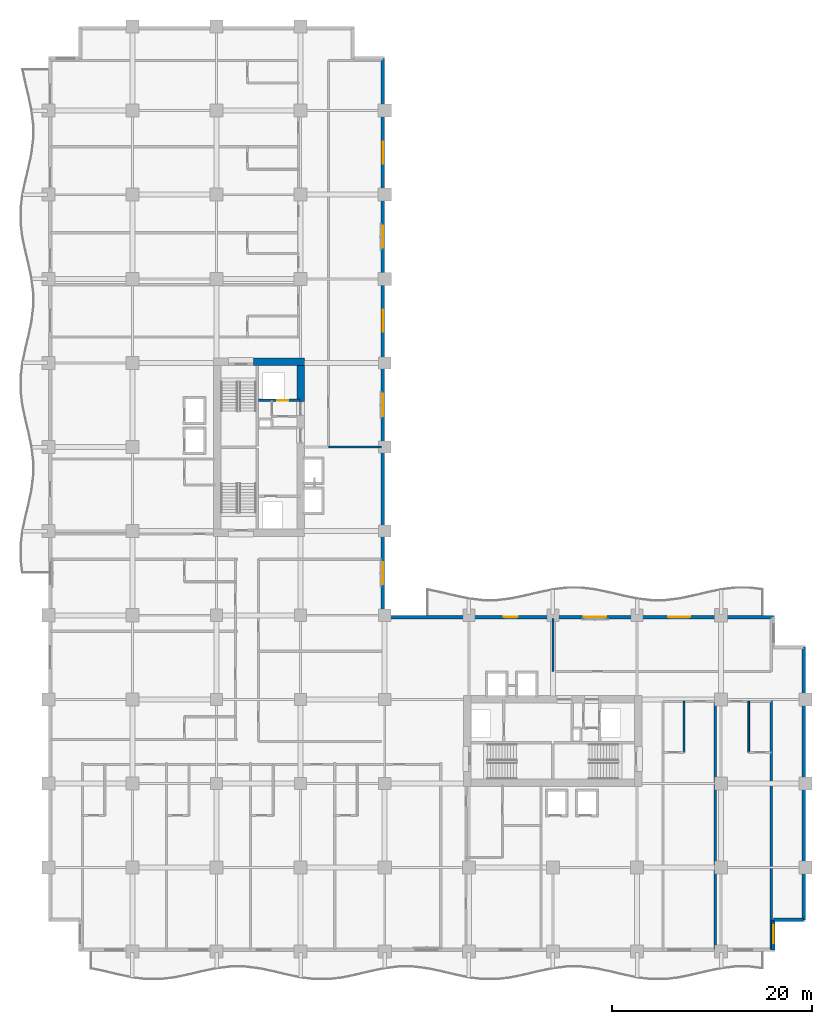
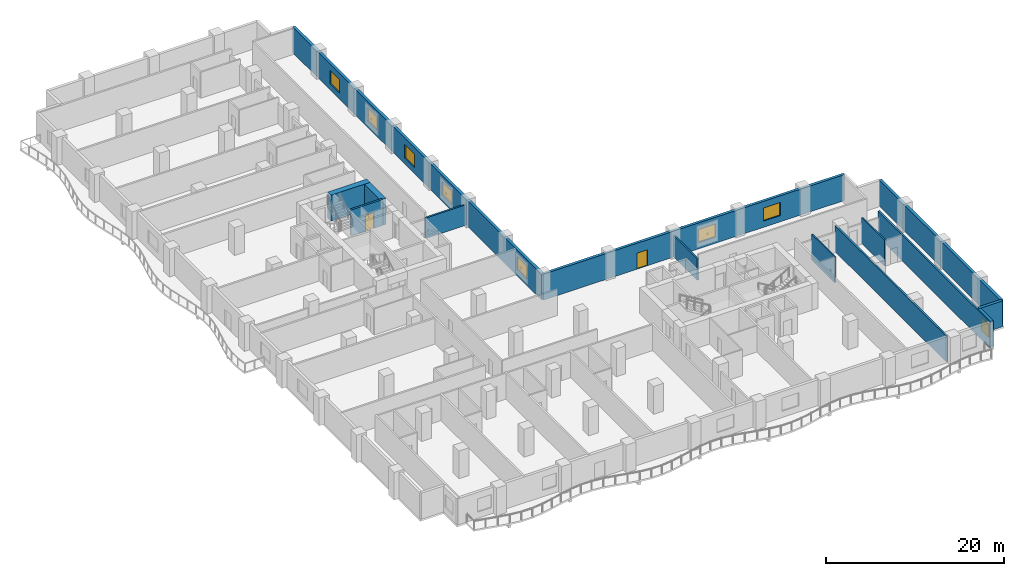
# One storey, part 9 of 18: 14 walls, 8 windows, 2 doors, 10 openings.
"""IFC4 building model written with IfcOpenShell, lengths in metres."""

from ifc_helpers import new_model, si_unit, direction, frame, frame_2d, origin, place, context, subcontext, project, spatial, rectangle, extrude, material, layer, layer_set, type_object, element, fill, save


model = new_model("IFC4")

# Units and contexts
model_context = context("Model", 3, precision=1e-05, world=origin(), true_north=direction((0.0, 1.0)))
body_context = subcontext(model_context, "Body", "Model", "MODEL_VIEW")
ifc_project = project(units=[si_unit("LENGTHUNIT", "METRE"), si_unit("AREAUNIT", "SQUARE_METRE"), si_unit("VOLUMEUNIT", "CUBIC_METRE"), si_unit("PLANEANGLEUNIT", "RADIAN"), si_unit("MASSUNIT", "GRAM", prefix="KILO")], contexts=[model_context])

# Site, building, storey
site_placement = place(None, origin())
site = spatial("IfcSite", under=ifc_project, at=site_placement, CompositionType="ELEMENT")
building_placement = place(site_placement, origin())
building = spatial("IfcBuilding", under=site, at=building_placement, Name="Koriwani Terraces Tower", CompositionType="ELEMENT")
storey_placement = place(building_placement, frame((0.0, 0.0, 107.60009765625)))
storey = spatial("IfcBuildingStorey", under=building, at=storey_placement, Name="L25", CompositionType="ELEMENT", Elevation=107.60009765625)

# Walls
ifc_material_1 = material(Name="Concrete C60/75", Category="concrete")
ifc_layer_1 = layer(ifc_material_1, 0.75, Name="Concrete C60/75")
ifc_layer_set_1 = layer_set([ifc_layer_1], Name="Concrete C60/75")
wall_type_1 = type_object("IfcWallType", Name="WALL_CORE_RC_750", PredefinedType="SHEAR", material=ifc_layer_set_1)
wall_1_placement = place(storey_placement, frame((20.5, 58.925048828125, 0.0), z_axis=(0.0, 0.0, 1.0), x_axis=(1.0, 0.0, 0.0)))
element("IfcWall", 1, at=wall_1_placement, inside=storey, type_object=wall_type_1, Name="L25 West Split Core Shear Wall N2", PredefinedType="SHEAR", context=body_context, shape_type="SweptSolid", body=[
    extrude(rectangle(XDim=5.074951171875, YDim=0.75, at=frame_2d((2.53759765625, 0.0))), origin(), (0.0, 0.0, 1.0), 3.5498046875),
])
wall_2_placement = place(storey_placement, frame((25.199951171875, 54.949951171875, 0.0), z_axis=(0.0, 0.0, 1.0), x_axis=(0.0, 1.0, 0.0)))
element("IfcWall", 2, at=wall_2_placement, inside=storey, type_object=wall_type_1, Name="L25 West Split Core Shear Wall E3", PredefinedType="SHEAR", context=body_context, shape_type="SweptSolid", body=[
    extrude(rectangle(XDim=3.60009765625, YDim=0.75, at=frame_2d((1.800048828125, 0.0))), origin(), (0.0, 0.0, 1.0), 3.5498046875),
])
ifc_material_2 = material(Name="Autoclaved Cellular Concrete Blockwork", Category="masonry")
ifc_layer_2 = layer(ifc_material_2, 0.219970703125, Name="Autoclaved Cellular Concrete Blockwork")
ifc_layer_set_2 = layer_set([ifc_layer_2], Name="Autoclaved Cellular Concrete Blockwork")
wall_type_2 = type_object("IfcWallType", Name="WALL_DEMISING_220", PredefinedType="PARTITIONING", material=ifc_layer_set_2)
wall_3_placement = place(storey_placement, frame((28.0, 50.39990234375, 0.0), z_axis=(0.0, 0.0, 1.0), x_axis=(1.0, 0.0, 0.0)))
element("IfcWall", 3, at=wall_3_placement, inside=storey, type_object=wall_type_2, Name="L25 Interior Wall WNEC-S-L25", PredefinedType="PARTITIONING", context=body_context, shape_type="SweptSolid", body=[
    extrude(rectangle(XDim=5.300048828125, YDim=0.219970703125, at=frame_2d((2.64990234375, 0.0))), origin(), (0.0, 0.0, 1.0), 2.7998046875),
])
for number, where, z_axis, x_axis, name in (
    (4, (66.60009765625, 0.199951171875, 0.0), (0.0, 0.0, 1.0), (0.0, 1.0, 0.0), "L25 Interior Wall WDEM-L25-SE-1"),
    (5, (72.199951171875, 0.199951171875, 0.0), (0.0, 0.0, 1.0), (0.0, 1.0, 0.0), "L25 Interior Wall WDEME-L25-SE"),
):
    element("IfcWall", number, at=place(storey_placement, frame(where, z_axis=z_axis, x_axis=x_axis)), inside=storey, type_object=wall_type_2, Name=name, PredefinedType="PARTITIONING", context=body_context, shape_type="SweptSolid", body=[
        extrude(rectangle(XDim=24.97998046875, YDim=0.219970703125, at=frame_2d((12.489990234375, 0.0))), origin(), (0.0, 0.0, 1.0), 3.5498046875),
    ])
wall_4_placement = place(storey_placement, frame((50.39990234375, 28.0, 0.0), z_axis=(0.0, 0.0, 1.0), x_axis=(0.0, 1.0, 0.0)))
element("IfcWall", 6, at=wall_4_placement, inside=storey, type_object=wall_type_2, Name="L25 Interior Wall WSEC-W-L25", PredefinedType="PARTITIONING", context=body_context, shape_type="SweptSolid", body=[
    extrude(rectangle(XDim=5.300048828125, YDim=0.219970703125, at=frame_2d((2.64990234375, 0.0))), origin(), (0.0, 0.0, 1.0), 2.932861328125),
])

# Wall, openings, windows
ifc_material_3 = material(Name="Concrete C50/60", Category="concrete")
ifc_layer_3 = layer(ifc_material_3, 0.35009765625, Name="Concrete C50/60")
ifc_layer_set_3 = layer_set([ifc_layer_3], Name="Concrete C50/60")
wall_type_3 = type_object("IfcWallType", Name="WALL_EXT_BRUTALIST_350", PredefinedType="STANDARD", material=ifc_layer_set_3)
wall_5_placement = place(storey_placement, frame((33.425048828125, 89.22509765625, 0.0), z_axis=(0.0, 0.0, 1.0), x_axis=(0.0, -1.0, 0.0)))
wall_5 = element("IfcWall", 7, at=wall_5_placement, inside=storey, type_object=wall_type_3, Name="L25 Fair-Faced Brutalist Exterior Wall (NW_IN)", PredefinedType="STANDARD", context=body_context, shape_type="SweptSolid", body=[
    extrude(rectangle(XDim=55.800048828125, YDim=0.35009765625, at=frame_2d((27.89990234375, 0.0))), origin(), (0.0, 0.0, 1.0), 3.5498046875),
])
opening_1_placement = place(wall_5_placement, frame((50.324951171875, 0.0, 0.85009765625)))
opening_1 = element("IfcOpeningElement", 8, at=opening_1_placement, cuts=wall_5, Name="Opening W-01", PredefinedType="OPENING", context=body_context, shape_type="SweptSolid", body=[
    extrude(rectangle(XDim=2.199951171875, YDim=1.800048828125, at=frame_2d((1.10009765625, 0.89990234375))), frame((0.0, 0.18505859375, 0.0), z_axis=(0.0, -1.0, 0.0), x_axis=(1.0, 0.0, 0.0)), (0.0, 0.0, 1.0), 0.3701171875),
])
opening_2_placement = place(wall_5_placement, frame((33.52490234375, 0.0, 0.85009765625)))
opening_2 = element("IfcOpeningElement", 9, at=opening_2_placement, cuts=wall_5, Name="Opening W-01", PredefinedType="OPENING", context=body_context, shape_type="SweptSolid", body=[
    extrude(rectangle(XDim=2.199951171875, YDim=1.800048828125, at=frame_2d((1.10009765625, 0.89990234375))), frame((0.0, 0.18505859375, 0.0), z_axis=(0.0, -1.0, 0.0), x_axis=(1.0, 0.0, 0.0)), (0.0, 0.0, 1.0), 0.3701171875),
])
opening_3_placement = place(wall_5_placement, frame((25.125, 0.0, 0.85009765625)))
opening_3 = element("IfcOpeningElement", 10, at=opening_3_placement, cuts=wall_5, Name="Opening W-01", PredefinedType="OPENING", context=body_context, shape_type="SweptSolid", body=[
    extrude(rectangle(XDim=2.199951171875, YDim=1.800048828125, at=frame_2d((1.10009765625, 0.89990234375))), frame((0.0, 0.18505859375, 0.0), z_axis=(0.0, -1.0, 0.0), x_axis=(1.0, 0.0, 0.0)), (0.0, 0.0, 1.0), 0.3701171875),
])
opening_4_placement = place(wall_5_placement, frame((16.72509765625, 0.0, 0.85009765625)))
opening_4 = element("IfcOpeningElement", 11, at=opening_4_placement, cuts=wall_5, Name="Opening W-01", PredefinedType="OPENING", context=body_context, shape_type="SweptSolid", body=[
    extrude(rectangle(XDim=2.199951171875, YDim=1.800048828125, at=frame_2d((1.10009765625, 0.89990234375))), frame((0.0, 0.18505859375, 0.0), z_axis=(0.0, -1.0, 0.0), x_axis=(1.0, 0.0, 0.0)), (0.0, 0.0, 1.0), 0.3701171875),
])
opening_5_placement = place(wall_5_placement, frame((8.324951171875, 0.0, 0.85009765625)))
opening_5 = element("IfcOpeningElement", 12, at=opening_5_placement, cuts=wall_5, Name="Opening W-01", PredefinedType="OPENING", context=body_context, shape_type="SweptSolid", body=[
    extrude(rectangle(XDim=2.199951171875, YDim=1.800048828125, at=frame_2d((1.10009765625, 0.89990234375))), frame((0.0, 0.18505859375, 0.0), z_axis=(0.0, -1.0, 0.0), x_axis=(1.0, 0.0, 0.0)), (0.0, 0.0, 1.0), 0.3701171875),
])
ifc_material_4 = material(Name="Tempered Laminated Low-E Glass", Category="glass")
window_type_1 = type_object("IfcWindowType", Name="WIN_HOTEL_STD_2200X1800", PartitioningType="DOUBLE_PANEL_VERTICAL", PredefinedType="WINDOW", material=ifc_material_4)
window_1_placement = place(opening_1_placement, origin())
window_1 = element("IfcWindow", 13, at=window_1_placement, inside=storey, type_object=window_type_1, Name="L25 Exterior Window (NW_IN-2)", OverallHeight=1.800048828125, OverallWidth=2.199951171875, PartitioningType="SINGLE_PANEL", PredefinedType="WINDOW", context=body_context, shape_type="SweptSolid", body=[
    extrude(rectangle(XDim=2.199951171875, YDim=1.800048828125, at=frame_2d((1.10009765625, 0.89990234375))), frame((0.0, 0.030029296875, 0.0), z_axis=(0.0, -1.0, 0.0), x_axis=(1.0, 0.0, 0.0)), (0.0, 0.0, 1.0), 0.06005859375),
])
fill(opening_1, window_1)
window_2_placement = place(opening_2_placement, origin())
window_2 = element("IfcWindow", 14, at=window_2_placement, inside=storey, type_object=window_type_1, Name="L25 Exterior Window (NW_IN-8)", OverallHeight=1.800048828125, OverallWidth=2.199951171875, PartitioningType="SINGLE_PANEL", PredefinedType="WINDOW", context=body_context, shape_type="SweptSolid", body=[
    extrude(rectangle(XDim=2.199951171875, YDim=1.800048828125, at=frame_2d((1.10009765625, 0.89990234375))), frame((0.0, 0.030029296875, 0.0), z_axis=(0.0, -1.0, 0.0), x_axis=(1.0, 0.0, 0.0)), (0.0, 0.0, 1.0), 0.06005859375),
])
fill(opening_2, window_2)
window_3_placement = place(opening_3_placement, origin())
window_3 = element("IfcWindow", 15, at=window_3_placement, inside=storey, type_object=window_type_1, Name="L25 Exterior Window (NW_IN-11)", OverallHeight=1.800048828125, OverallWidth=2.199951171875, PartitioningType="SINGLE_PANEL", PredefinedType="WINDOW", context=body_context, shape_type="SweptSolid", body=[
    extrude(rectangle(XDim=2.199951171875, YDim=1.800048828125, at=frame_2d((1.10009765625, 0.89990234375))), frame((0.0, 0.030029296875, 0.0), z_axis=(0.0, -1.0, 0.0), x_axis=(1.0, 0.0, 0.0)), (0.0, 0.0, 1.0), 0.06005859375),
])
fill(opening_3, window_3)
window_4_placement = place(opening_4_placement, origin())
window_4 = element("IfcWindow", 16, at=window_4_placement, inside=storey, type_object=window_type_1, Name="L25 Exterior Window (NW_IN-14)", OverallHeight=1.800048828125, OverallWidth=2.199951171875, PartitioningType="SINGLE_PANEL", PredefinedType="WINDOW", context=body_context, shape_type="SweptSolid", body=[
    extrude(rectangle(XDim=2.199951171875, YDim=1.800048828125, at=frame_2d((1.10009765625, 0.89990234375))), frame((0.0, 0.030029296875, 0.0), z_axis=(0.0, -1.0, 0.0), x_axis=(1.0, 0.0, 0.0)), (0.0, 0.0, 1.0), 0.06005859375),
])
fill(opening_4, window_4)
window_5_placement = place(opening_5_placement, origin())
window_5 = element("IfcWindow", 17, at=window_5_placement, inside=storey, type_object=window_type_1, Name="L25 Exterior Window (NW_IN-17)", OverallHeight=1.800048828125, OverallWidth=2.199951171875, PartitioningType="SINGLE_PANEL", PredefinedType="WINDOW", context=body_context, shape_type="SweptSolid", body=[
    extrude(rectangle(XDim=2.199951171875, YDim=1.800048828125, at=frame_2d((1.10009765625, 0.89990234375))), frame((0.0, 0.030029296875, 0.0), z_axis=(0.0, -1.0, 0.0), x_axis=(1.0, 0.0, 0.0)), (0.0, 0.0, 1.0), 0.06005859375),
])
fill(opening_5, window_5)

# Wall, openings, door, windows
wall_6_placement = place(storey_placement, frame((33.425048828125, 33.425048828125, 0.0), z_axis=(0.0, 0.0, 1.0), x_axis=(1.0, 0.0, 0.0)))
wall_6 = element("IfcWall", 18, at=wall_6_placement, inside=storey, type_object=wall_type_3, Name="L25 Fair-Faced Brutalist Exterior Wall (NE)", PredefinedType="STANDARD", context=body_context, shape_type="SweptSolid", body=[
    extrude(rectangle(XDim=39.0, YDim=0.35009765625, at=frame_2d((19.5, 0.0))), origin(), (0.0, 0.0, 1.0), 3.5498046875),
])
opening_6_placement = place(wall_6_placement, frame((12.074951171875, 0.0, 0.0)))
opening_6 = element("IfcOpeningElement", 19, at=opening_6_placement, cuts=wall_6, Name="Opening D-09", PredefinedType="OPENING", context=body_context, shape_type="SweptSolid", body=[
    extrude(rectangle(XDim=1.39990234375, YDim=2.199951171875, at=frame_2d((0.699951171875, 1.10009765625))), frame((0.0, 0.18505859375, 0.0), z_axis=(0.0, -1.0, 0.0), x_axis=(1.0, 0.0, 0.0)), (0.0, 0.0, 1.0), 0.3701171875),
])
opening_7_placement = place(wall_6_placement, frame((20.074951171875, 0.0, 0.85009765625)))
opening_7 = element("IfcOpeningElement", 20, at=opening_7_placement, cuts=wall_6, Name="Opening W-01", PredefinedType="OPENING", context=body_context, shape_type="SweptSolid", body=[
    extrude(rectangle(XDim=2.199951171875, YDim=1.800048828125, at=frame_2d((1.10009765625, 0.89990234375))), frame((0.0, 0.18505859375, 0.0), z_axis=(0.0, -1.0, 0.0), x_axis=(1.0, 0.0, 0.0)), (0.0, 0.0, 1.0), 0.3701171875),
])
opening_8_placement = place(wall_6_placement, frame((28.47509765625, 0.0, 0.85009765625)))
opening_8 = element("IfcOpeningElement", 21, at=opening_8_placement, cuts=wall_6, Name="Opening W-01", PredefinedType="OPENING", context=body_context, shape_type="SweptSolid", body=[
    extrude(rectangle(XDim=2.199951171875, YDim=1.800048828125, at=frame_2d((1.10009765625, 0.89990234375))), frame((0.0, 0.18505859375, 0.0), z_axis=(0.0, -1.0, 0.0), x_axis=(1.0, 0.0, 0.0)), (0.0, 0.0, 1.0), 0.3701171875),
])
ifc_material_5 = material(Name="Anodised Bronze Aluminium", Category="aluminium")
door_type_1 = type_object("IfcDoorType", Name="DOOR_BALCONY_GLAZED_1400X2200", OperationType="NOTDEFINED", PredefinedType="DOOR", material=ifc_material_5)
door_1_placement = place(opening_6_placement, origin())
door_1 = element("IfcDoor", 22, at=door_1_placement, inside=storey, type_object=door_type_1, Name="L25 Inner Court Balcony Glazed Door", OperationType="SINGLE_SWING_LEFT", OverallHeight=2.199951171875, OverallWidth=1.39990234375, PredefinedType="DOOR", context=body_context, shape_type="SweptSolid", body=[
    extrude(rectangle(XDim=1.39990234375, YDim=2.199951171875, at=frame_2d((0.699951171875, 1.10009765625))), frame((0.0, 0.02490234375, 0.0), z_axis=(0.0, -1.0, 0.0), x_axis=(1.0, 0.0, 0.0)), (0.0, 0.0, 1.0), 0.050048828125),
])
fill(opening_6, door_1)
window_6_placement = place(opening_7_placement, origin())
window_6 = element("IfcWindow", 23, at=window_6_placement, inside=storey, type_object=window_type_1, Name="L25 Exterior Window (NE-8)", OverallHeight=1.800048828125, OverallWidth=2.199951171875, PartitioningType="SINGLE_PANEL", PredefinedType="WINDOW", context=body_context, shape_type="SweptSolid", body=[
    extrude(rectangle(XDim=2.199951171875, YDim=1.800048828125, at=frame_2d((1.10009765625, 0.89990234375))), frame((0.0, 0.030029296875, 0.0), z_axis=(0.0, -1.0, 0.0), x_axis=(1.0, 0.0, 0.0)), (0.0, 0.0, 1.0), 0.06005859375),
])
fill(opening_7, window_6)
window_7_placement = place(opening_8_placement, origin())
window_7 = element("IfcWindow", 24, at=window_7_placement, inside=storey, type_object=window_type_1, Name="L25 Exterior Window (NE-11)", OverallHeight=1.800048828125, OverallWidth=2.199951171875, PartitioningType="SINGLE_PANEL", PredefinedType="WINDOW", context=body_context, shape_type="SweptSolid", body=[
    extrude(rectangle(XDim=2.199951171875, YDim=1.800048828125, at=frame_2d((1.10009765625, 0.89990234375))), frame((0.0, 0.030029296875, 0.0), z_axis=(0.0, -1.0, 0.0), x_axis=(1.0, 0.0, 0.0)), (0.0, 0.0, 1.0), 0.06005859375),
])
fill(opening_8, window_7)

# Walls
wall_7_placement = place(storey_placement, frame((75.425048828125, 30.425048828125, 0.0), z_axis=(0.0, 0.0, 1.0), x_axis=(0.0, -1.0, 0.0)))
element("IfcWall", 25, at=wall_7_placement, inside=storey, type_object=wall_type_3, Name="L25 Fair-Faced Brutalist Exterior Wall (E_TIP)", PredefinedType="STANDARD", context=body_context, shape_type="SweptSolid", body=[
    extrude(rectangle(XDim=27.25, YDim=0.35009765625, at=frame_2d((13.625, 0.0))), origin(), (0.0, 0.0, 1.0), 3.5498046875),
])
wall_8_placement = place(storey_placement, frame((75.425048828125, 3.175048828125, 0.0), z_axis=(0.0, 0.0, 1.0), x_axis=(-1.0, 0.0, 0.0)))
element("IfcWall", 26, at=wall_8_placement, inside=storey, type_object=wall_type_3, Name="L25 Fair-Faced Brutalist Exterior Wall (N13)", PredefinedType="STANDARD", context=body_context, shape_type="SweptSolid", body=[
    extrude(rectangle(XDim=3.0, YDim=0.35009765625, at=frame_2d((1.5, 0.0))), origin(), (0.0, 0.0, 1.0), 3.5498046875),
])

# Wall, opening, window
wall_9_placement = place(storey_placement, frame((72.425048828125, 3.175048828125, 0.0), z_axis=(0.0, 0.0, 1.0), x_axis=(0.0, -1.0, 0.0)))
wall_9 = element("IfcWall", 27, at=wall_9_placement, inside=storey, type_object=wall_type_3, Name="L25 Fair-Faced Brutalist Exterior Wall (N14)", PredefinedType="STANDARD", context=body_context, shape_type="SweptSolid", body=[
    extrude(rectangle(XDim=3.0, YDim=0.35009765625, at=frame_2d((1.5, 0.0))), origin(), (0.0, 0.0, 1.0), 3.5498046875),
])
opening_9_placement = place(wall_9_placement, frame((0.5224609375, 0.0, 0.85009765625)))
opening_9 = element("IfcOpeningElement", 28, at=opening_9_placement, cuts=wall_9, Name="Opening W-04", PredefinedType="OPENING", context=body_context, shape_type="SweptSolid", body=[
    extrude(rectangle(XDim=1.800048828125, YDim=1.800048828125, at=frame_2d((0.89990234375, 0.89990234375))), frame((0.0, 0.18505859375, 0.0), z_axis=(0.0, -1.0, 0.0), x_axis=(1.0, 0.0, 0.0)), (0.0, 0.0, 1.0), 0.3701171875),
])
window_type_2 = type_object("IfcWindowType", Name="WIN_RES_BED_1800X1800", PartitioningType="DOUBLE_PANEL_VERTICAL", PredefinedType="WINDOW", material=ifc_material_4)
window_8_placement = place(opening_9_placement, origin())
window_8 = element("IfcWindow", 29, at=window_8_placement, inside=storey, type_object=window_type_2, Name="L25 Exterior Window (N14-R57)", OverallHeight=1.800048828125, OverallWidth=1.800048828125, PartitioningType="SINGLE_PANEL", PredefinedType="WINDOW", context=body_context, shape_type="SweptSolid", body=[
    extrude(rectangle(XDim=1.800048828125, YDim=1.800048828125, at=frame_2d((0.89990234375, 0.89990234375))), frame((0.0, 0.030029296875, 0.0), z_axis=(0.0, -1.0, 0.0), x_axis=(1.0, 0.0, 0.0)), (0.0, 0.0, 1.0), 0.06005859375),
])
fill(opening_9, window_8)

# Walls
ifc_material_6 = material(Name="Fire-Rated Acoustic Gypsum Partition", Category="masonry")
ifc_layer_4 = layer(ifc_material_6, 0.179931640625, Name="Fire-Rated Acoustic Gypsum Partition")
ifc_layer_set_4 = layer_set([ifc_layer_4], Name="Fire-Rated Acoustic Gypsum Partition")
wall_type_4 = type_object("IfcWallType", Name="WALL_PLUMBING_180", PredefinedType="PLUMBINGWALL", material=ifc_layer_set_4)
for number, where, z_axis, x_axis, name in (
    (30, (63.47998046875, 19.89990234375, 0.0), (0.0, 0.0, 1.0), (0.0, 1.0, 0.0), "L25 Interior Wall WBTH2-L25-SE-0"),
    (31, (69.9599609375, 19.89990234375, 0.0), (0.0, 0.0, 1.0), (0.0, 1.0, 0.0), "L25 Interior Wall WBTH2-L25-SE-1"),
):
    element("IfcWall", number, at=place(storey_placement, frame(where, z_axis=z_axis, x_axis=x_axis)), inside=storey, type_object=wall_type_4, Name=name, PredefinedType="PLUMBINGWALL", context=body_context, shape_type="SweptSolid", body=[
        extrude(rectangle(XDim=5.10009765625, YDim=0.179931640625, at=frame_2d((2.550048828125, 0.0))), origin(), (0.0, 0.0, 1.0), 3.5498046875),
    ])

# Wall, opening, door
ifc_material_7 = material(Name="Concrete C40/50", Category="concrete")
ifc_layer_5 = layer(ifc_material_7, 0.25, Name="Concrete C40/50")
ifc_layer_set_5 = layer_set([ifc_layer_5], Name="Concrete C40/50")
wall_type_5 = type_object("IfcWallType", Name="WALL_SHAFT_RATED_250", PredefinedType="SOLIDWALL", material=ifc_layer_set_5)
wall_10_placement = place(storey_placement, frame((21.0, 55.050048828125, 0.0), z_axis=(0.0, 0.0, 1.0), x_axis=(1.0, 0.0, 0.0)))
wall_10 = element("IfcWall", 32, at=wall_10_placement, inside=storey, type_object=wall_type_5, Name="L25 Interior Wall WIN-CW-L25-SE", PredefinedType="SOLIDWALL", context=body_context, shape_type="SweptSolid", body=[
    extrude(rectangle(XDim=4.14990234375, YDim=0.25, at=frame_2d((2.074951171875, 0.0))), origin(), (0.0, 0.0, 1.0), 3.5498046875),
])
opening_10_placement = place(wall_10_placement, frame((1.85009765625, 0.0, 0.0)))
opening_10 = element("IfcOpeningElement", 33, at=opening_10_placement, cuts=wall_10, Name="Opening LD-01", PredefinedType="OPENING", context=body_context, shape_type="SweptSolid", body=[
    extrude(rectangle(XDim=1.10009765625, YDim=2.14990234375, at=frame_2d((0.550048828125, 1.074951171875))), frame((0.0, 0.135009765625, 0.0), z_axis=(0.0, -1.0, 0.0), x_axis=(1.0, 0.0, 0.0)), (0.0, 0.0, 1.0), 0.27001953125),
])
ifc_material_8 = material(Name="Steel ASTM A572 Grade 50", Category="steel")
door_type_2 = type_object("IfcDoorType", Name="DOOR_LIFT_LANDING_1100X2200", OperationType="NOTDEFINED", PredefinedType="DOOR", material=ifc_material_8)
door_2_placement = place(opening_10_placement, origin())
door_2 = element("IfcDoor", 34, at=door_2_placement, inside=storey, type_object=door_type_2, Name="L25 Goods Lift SE-01 Landing Door", OperationType="SLIDING_TO_LEFT", OverallHeight=2.14990234375, OverallWidth=1.10009765625, PredefinedType="DOOR", context=body_context, shape_type="SweptSolid", body=[
    extrude(rectangle(XDim=1.10009765625, YDim=2.14990234375, at=frame_2d((0.550048828125, 1.074951171875))), frame((0.0, 0.02490234375, 0.0), z_axis=(0.0, -1.0, 0.0), x_axis=(1.0, 0.0, 0.0)), (0.0, 0.0, 1.0), 0.050048828125),
])
fill(opening_10, door_2)

save(model, "model.ifc")
